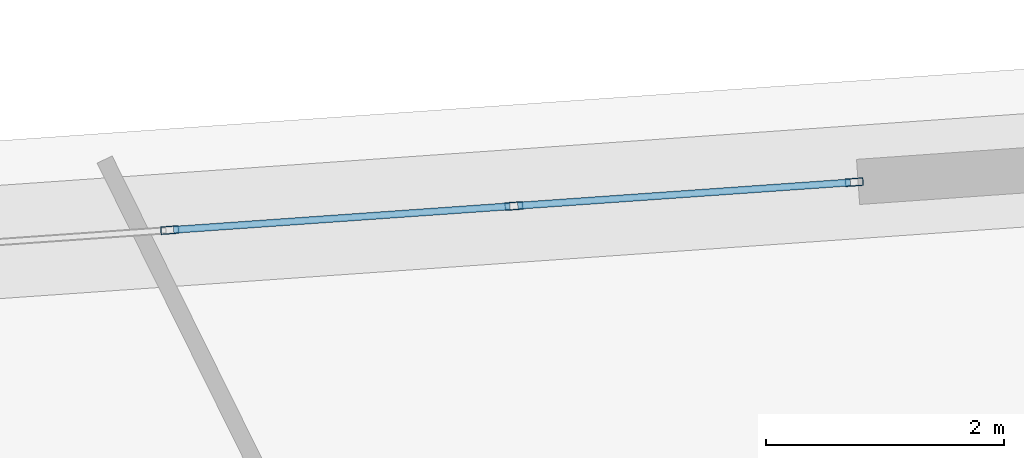
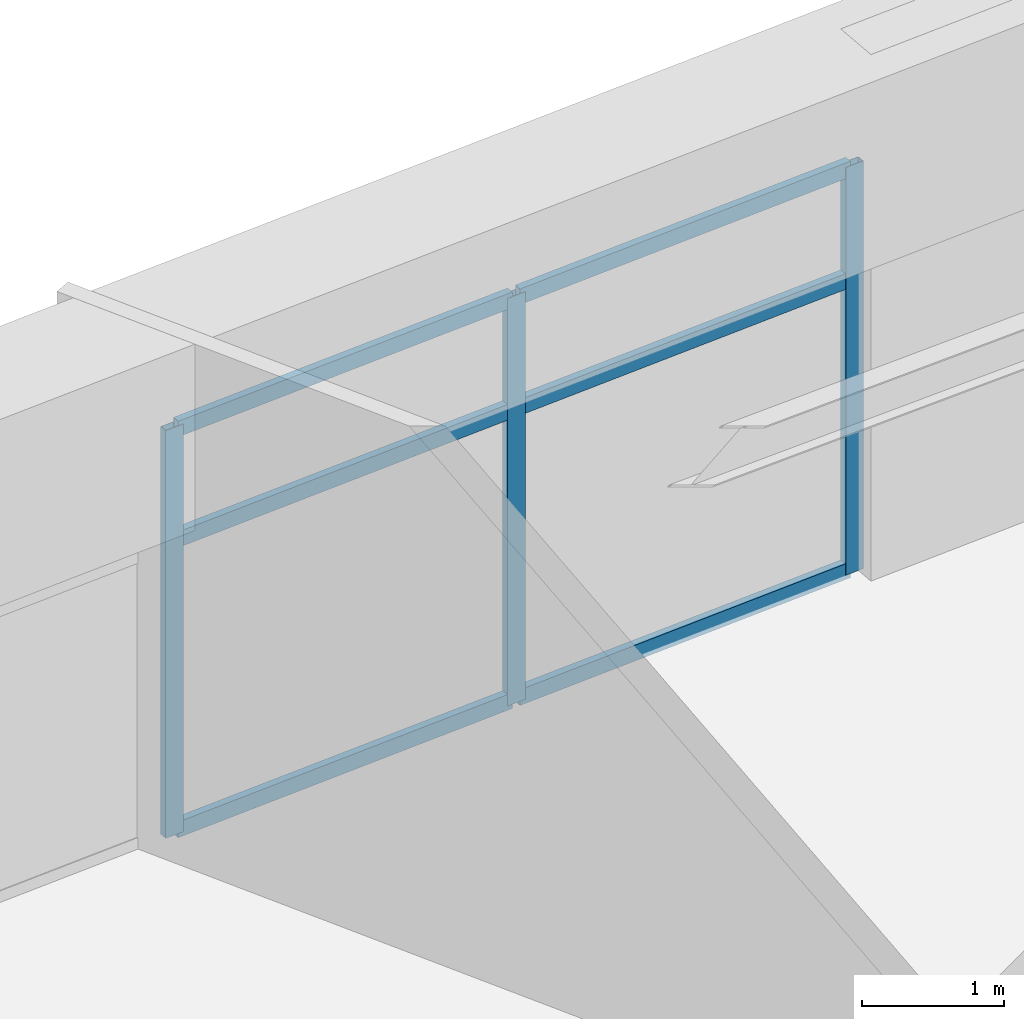
# One storey, part 25 of 40: 9 members, 1 element without a shape of its own.
"""IFC4 building model written with IfcOpenShell, lengths in metres."""

from ifc_helpers import new_model, si_unit, direction, frame, origin, origin_2d, place, context, subcontext, project, spatial, hollow_rectangle, extrude, source, transform, mapped, material, layer, layer_set, material_profile, profile_set, type_object, element, aggregate, save


model = new_model("IFC4")

# Units and contexts
model_context = context("Model", 3, precision=1e-05, world=origin(), true_north=direction((0.0, 1.0)))
body_context = subcontext(model_context, "Body", "Model", "MODEL_VIEW")
ifc_project = project(units=[si_unit("LENGTHUNIT", "METRE"), si_unit("AREAUNIT", "SQUARE_METRE"), si_unit("VOLUMEUNIT", "CUBIC_METRE"), si_unit("PLANEANGLEUNIT", "RADIAN"), si_unit("MASSUNIT", "GRAM", prefix="KILO")], contexts=[model_context])

# Site, building, storey
site_placement = place(None, origin())
site = spatial("IfcSite", under=ifc_project, at=site_placement, CompositionType="ELEMENT")
building_placement = place(site_placement, origin())
building = spatial("IfcBuilding", under=site, at=building_placement, Name="Liaohun Quay Tower", CompositionType="ELEMENT")
storey_placement = place(building_placement, frame((0.0, 0.0, 351.0)))
storey = spatial("IfcBuildingStorey", under=building, at=storey_placement, Name="L91", CompositionType="ELEMENT", Elevation=351.0)

# Curtain wall, members
ifc_material_1 = material(Name="Observation gallery panoramic triple-glazed curtain wall")
ifc_layer = layer(ifc_material_1, 0.219970703125, Name="Observation gallery panoramic triple-glazed curtain wall")
ifc_layer_set = layer_set([ifc_layer], Name="Observation gallery panoramic triple-glazed curtain wall")
curtain_wall_type = type_object("IfcCurtainWallType", Name="CW-OBS-CRN", PredefinedType="NOTDEFINED", material=ifc_layer_set)
curtain_wall_placement = place(storey_placement, origin())
curtain_wall = element("IfcCurtainWall", 1, at=curtain_wall_placement, inside=storey, type_object=curtain_wall_type, Name="L91 Panoramic Belvedere Curtain Wall 04", PredefinedType="NOTDEFINED")
ifc_material_2 = material(Name="Anodised aluminium 6063-T6", Category="aluminium")
ifc_material_profile_1 = material_profile(ifc_material_2, hollow_rectangle(XDim=0.06494140625, YDim=0.14990234375, WallThickness=0.00390625, at=origin_2d()), Name="RHS150x65x4")
ifc_profile_set_1 = profile_set([ifc_material_profile_1], Name="Anodised aluminium 6063-T6")
member_type_1 = type_object("IfcMemberType", Name="MEM-CWM-SKY", PredefinedType="MULLION", material=ifc_profile_set_1)
shared_shape_1 = source(origin(), body_context, "Body", "SweptSolid", [
    extrude(hollow_rectangle(XDim=0.06494140625, YDim=0.14990234375, WallThickness=0.00390625, at=origin_2d()), origin(), (0.0, 0.0, 1.0), 3.5),
])
member_1_placement = place(storey_placement, frame((54.888671875, 74.501708984375, 0.0), z_axis=(0.0, 0.0, 1.0), x_axis=(0.069825696336, -0.997559207331, 0.0)))
member_1 = element("IfcMember", 2, at=member_1_placement, type_object=member_type_1, Name="CW6 mullion 1", PredefinedType="MULLION", context=body_context, shape_type="MappedRepresentation", body=[
    mapped(shared_shape_1, transform((0.0, 0.0, 0.0), x_axis=(1.0, 0.0, 0.0), y_axis=(0.0, 1.0, 0.0), z_axis=(0.0, 0.0, 1.0), scale=1.0)),
])
member_2_placement = place(storey_placement, frame((52.028076171875, 74.301513671875, 0.0), z_axis=(0.0, 0.0, 1.0), x_axis=(0.069825696336, -0.997559207331, 0.0)))
member_2 = element("IfcMember", 3, at=member_2_placement, type_object=member_type_1, Name="CW6 mullion 2", PredefinedType="MULLION", context=body_context, shape_type="MappedRepresentation", body=[
    mapped(shared_shape_1, transform((0.0, 0.0, 0.0), x_axis=(1.0, 0.0, 0.0), y_axis=(0.0, 1.0, 0.0), z_axis=(0.0, 0.0, 1.0), scale=1.0)),
])
member_3_placement = place(storey_placement, frame((49.135009765625, 74.09912109375, 0.0), z_axis=(0.0, 0.0, 1.0), x_axis=(0.069825696336, -0.997559207331, 0.0)))
member_3 = element("IfcMember", 4, at=member_3_placement, type_object=member_type_1, Name="CW6 mullion 3", PredefinedType="MULLION", context=body_context, shape_type="MappedRepresentation", body=[
    mapped(shared_shape_1, transform((0.0, 0.0, 0.0), x_axis=(1.0, 0.0, 0.0), y_axis=(0.0, 1.0, 0.0), z_axis=(0.0, 0.0, 1.0), scale=1.0)),
])
ifc_material_profile_2 = material_profile(ifc_material_2, hollow_rectangle(XDim=0.06005859375, YDim=0.135009765625, WallThickness=0.00390625, at=origin_2d()), Name="RHS135x60x4")
ifc_profile_set_2 = profile_set([ifc_material_profile_2], Name="Anodised aluminium 6063-T6")
member_type_2 = type_object("IfcMemberType", Name="MEM-CWT-SKY", PredefinedType="USERDEFINED", material=ifc_profile_set_2)
shared_shape_2 = source(origin(), body_context, "Body", "SweptSolid", [
    extrude(hollow_rectangle(XDim=0.06005859375, YDim=0.135009765625, WallThickness=0.00390625, at=origin_2d()), origin(), (0.0, 0.0, 1.0), 2.802734375),
])
member_4_placement = place(storey_placement, frame((54.856201171875, 74.49951171875, 0.030029296875), z_axis=(-0.997556782244, -0.06986033351, 0.0), x_axis=(0.06986033351, -0.997556782244, 0.0)))
member_4 = element("IfcMember", 5, at=member_4_placement, type_object=member_type_2, Name="CW6 transom 1.1", ObjectType="TRANSOM", PredefinedType="USERDEFINED", context=body_context, shape_type="MappedRepresentation", body=[
    mapped(shared_shape_2, transform((0.0, 0.0, 0.0), x_axis=(1.0, 0.0, 0.0), y_axis=(0.0, 1.0, 0.0), z_axis=(0.0, 0.0, 1.0), scale=1.0)),
])
member_5_placement = place(storey_placement, frame((54.856201171875, 74.49951171875, 2.52001953125), z_axis=(-0.997556782244, -0.06986033351, 0.0), x_axis=(0.06986033351, -0.997556782244, 0.0)))
member_5 = element("IfcMember", 6, at=member_5_placement, type_object=member_type_2, Name="CW6 transom 1.2", ObjectType="TRANSOM", PredefinedType="USERDEFINED", context=body_context, shape_type="MappedRepresentation", body=[
    mapped(shared_shape_2, transform((0.0, 0.0, 0.0), x_axis=(1.0, 0.0, 0.0), y_axis=(0.0, 1.0, 0.0), z_axis=(0.0, 0.0, 1.0), scale=1.0)),
])
member_6_placement = place(storey_placement, frame((54.856201171875, 74.49951171875, 3.469970703125), z_axis=(-0.997556782244, -0.06986033351, 0.0), x_axis=(0.06986033351, -0.997556782244, 0.0)))
member_6 = element("IfcMember", 7, at=member_6_placement, type_object=member_type_2, Name="CW6 transom 1.3", ObjectType="TRANSOM", PredefinedType="USERDEFINED", context=body_context, shape_type="MappedRepresentation", body=[
    mapped(shared_shape_2, transform((0.0, 0.0, 0.0), x_axis=(1.0, 0.0, 0.0), y_axis=(0.0, 1.0, 0.0), z_axis=(0.0, 0.0, 1.0), scale=1.0)),
])
shared_shape_3 = source(origin(), body_context, "Body", "SweptSolid", [
    extrude(hollow_rectangle(XDim=0.06005859375, YDim=0.135009765625, WallThickness=0.00390625, at=origin_2d()), origin(), (0.0, 0.0, 1.0), 2.8349609375),
])
member_7_placement = place(storey_placement, frame((51.99560546875, 74.29931640625, 0.030029296875), z_axis=(-0.997558247248, -0.069839411129, 0.0), x_axis=(0.069839411129, -0.997558247248, 0.0)))
member_7 = element("IfcMember", 8, at=member_7_placement, type_object=member_type_2, Name="CW6 transom 2.1", ObjectType="TRANSOM", PredefinedType="USERDEFINED", context=body_context, shape_type="MappedRepresentation", body=[
    mapped(shared_shape_3, transform((0.0, 0.0, 0.0), x_axis=(1.0, 0.0, 0.0), y_axis=(0.0, 1.0, 0.0), z_axis=(0.0, 0.0, 1.0), scale=1.0)),
])
member_8_placement = place(storey_placement, frame((51.99560546875, 74.29931640625, 2.52001953125), z_axis=(-0.997558247248, -0.069839411129, 0.0), x_axis=(0.069839411129, -0.997558247248, 0.0)))
member_8 = element("IfcMember", 9, at=member_8_placement, type_object=member_type_2, Name="CW6 transom 2.2", ObjectType="TRANSOM", PredefinedType="USERDEFINED", context=body_context, shape_type="MappedRepresentation", body=[
    mapped(shared_shape_3, transform((0.0, 0.0, 0.0), x_axis=(1.0, 0.0, 0.0), y_axis=(0.0, 1.0, 0.0), z_axis=(0.0, 0.0, 1.0), scale=1.0)),
])
member_9_placement = place(storey_placement, frame((51.99560546875, 74.29931640625, 3.469970703125), z_axis=(-0.997558247248, -0.069839411129, 0.0), x_axis=(0.069839411129, -0.997558247248, 0.0)))
member_9 = element("IfcMember", 10, at=member_9_placement, type_object=member_type_2, Name="CW6 transom 2.3", ObjectType="TRANSOM", PredefinedType="USERDEFINED", context=body_context, shape_type="MappedRepresentation", body=[
    mapped(shared_shape_3, transform((0.0, 0.0, 0.0), x_axis=(1.0, 0.0, 0.0), y_axis=(0.0, 1.0, 0.0), z_axis=(0.0, 0.0, 1.0), scale=1.0)),
])
aggregate(curtain_wall, [member_1, member_2, member_3, member_4, member_5, member_6, member_7, member_8, member_9])

save(model, "model.ifc")
